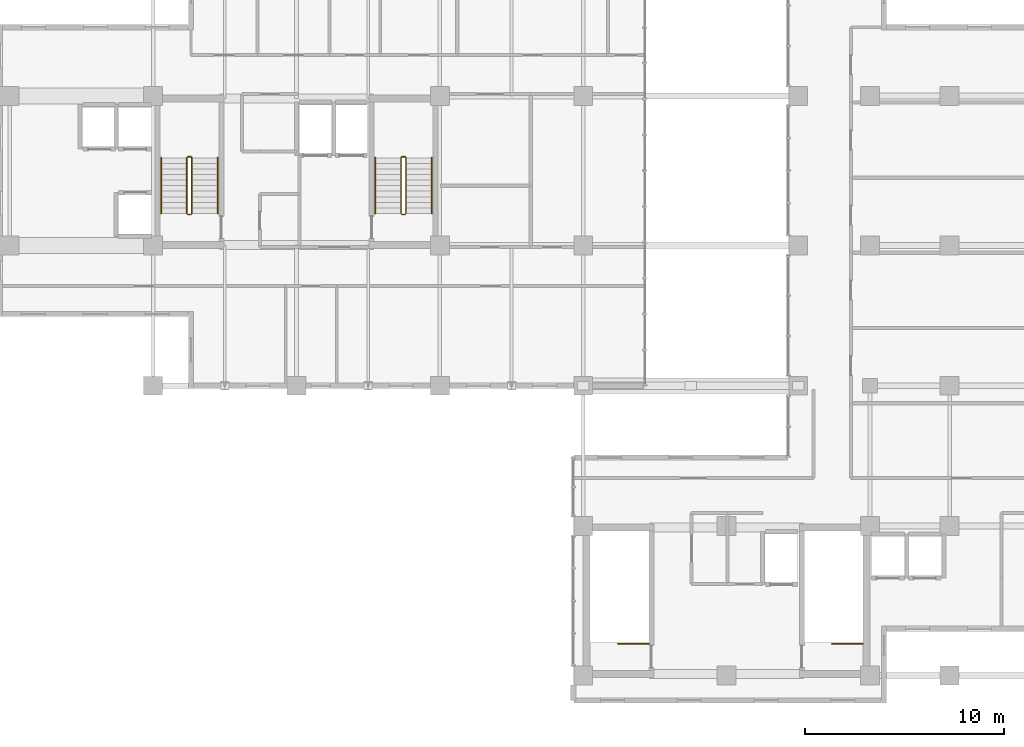
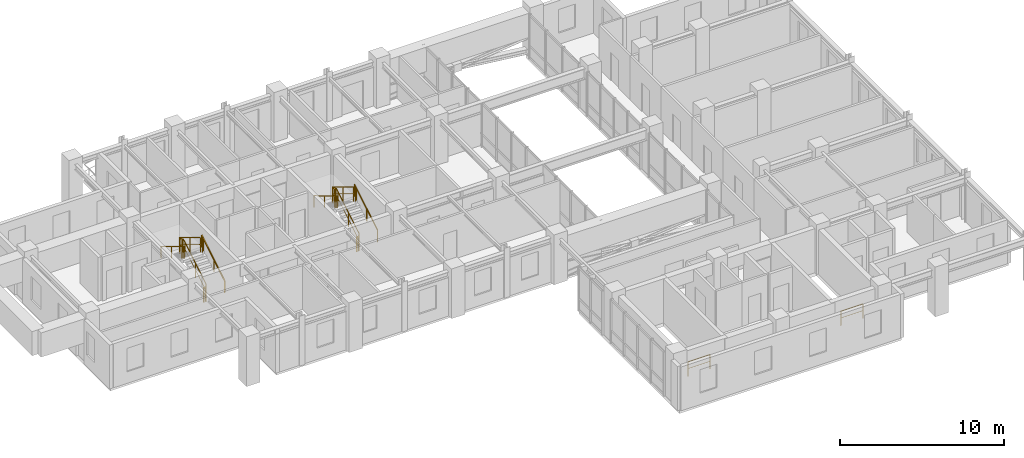
# One storey, part 22 of 23: 14 railings.
"""IFC4 building model written with IfcOpenShell, lengths in metres."""

from ifc_helpers import new_model, si_unit, direction, frame, origin, origin_2d, place, context, subcontext, project, spatial, rectangle, extrude, material, type_object, element, save


model = new_model("IFC4")

# Units and contexts
model_context = context("Model", 3, precision=1e-05, world=origin(), true_north=direction((0.0, 1.0)))
body_context = subcontext(model_context, "Body", "Model", "MODEL_VIEW")
ifc_project = project(units=[si_unit("LENGTHUNIT", "METRE"), si_unit("AREAUNIT", "SQUARE_METRE"), si_unit("VOLUMEUNIT", "CUBIC_METRE"), si_unit("PLANEANGLEUNIT", "RADIAN"), si_unit("MASSUNIT", "GRAM", prefix="KILO")], contexts=[model_context])

# Site, building, storey
site_placement = place(None, origin())
site = spatial("IfcSite", under=ifc_project, at=site_placement, CompositionType="ELEMENT")
building_placement = place(site_placement, origin())
building = spatial("IfcBuilding", under=site, at=building_placement, Name="Kaliganga Portal Commons", CompositionType="ELEMENT")
storey_placement = place(building_placement, frame((0.0, 0.0, 246.199951171875)))
storey = spatial("IfcBuildingStorey", under=building, at=storey_placement, Name="L63", CompositionType="ELEMENT", Elevation=246.199951171875)

# Railings
ifc_material_1 = material(Name="Galvanized Painted Steel Balustrade", Category="steel")
railing_type_1 = type_object("IfcRailingType", Name="RLG-STAIR-GRD", PredefinedType="GUARDRAIL", material=ifc_material_1)
railing_1_placement = place(storey_placement, frame((16.35009765625, 30.25, 0.168212890625)))
element("IfcRailing", 1, at=railing_1_placement, inside=storey, type_object=railing_type_1, Name="L63 ST-A1 stair guard 1", PredefinedType="GUARDRAIL", context=body_context, shape_type="SweptSolid", body=[
    extrude(rectangle(XDim=0.048095703125, YDim=0.048095703125, at=origin_2d()), frame((0.0, 0.0, 1.072021484375), z_axis=(0.0, 0.857242210791, 0.514913383045), x_axis=(-1.0, 0.0, 0.0)), (0.0, 0.0, 1.0), 3.266357421875),
    extrude(rectangle(XDim=0.028076171875, YDim=0.028076171875, at=origin_2d()), frame((0.0, 0.0, 0.572021484375), z_axis=(0.0, 0.857242210791, 0.514913383045), x_axis=(-1.0, 0.0, 0.0)), (0.0, 0.0, 1.0), 3.266357421875),
    extrude(rectangle(XDim=0.0419921875, YDim=0.0419921875, at=origin_2d()), origin(), (0.0, 0.0, 1.0), 1.052001953125),
    extrude(rectangle(XDim=0.0419921875, YDim=0.0419921875, at=origin_2d()), frame((0.0, 1.285888671875, 0.7724609375)), (0.0, 0.0, 1.0), 1.052001953125),
    extrude(rectangle(XDim=0.0419921875, YDim=0.0419921875, at=origin_2d()), frame((0.0, 2.57177734375, 1.544677734375)), (0.0, 0.0, 1.0), 1.052001953125),
    extrude(rectangle(XDim=0.0419921875, YDim=0.0419921875, at=origin_2d()), frame((0.0, 2.800048828125, 1.681884765625)), (0.0, 0.0, 1.0), 1.052001953125),
])
railing_2_placement = place(storey_placement, frame((16.300048828125, 33.10009765625, 1.85009765625)))
element("IfcRailing", 2, at=railing_2_placement, inside=storey, type_object=railing_type_1, Name="L63 ST-A1 stair guard 2", PredefinedType="GUARDRAIL", context=body_context, shape_type="SweptSolid", body=[
    extrude(rectangle(XDim=0.048095703125, YDim=0.048095703125, at=origin_2d()), frame((0.0, 0.0, 1.076171875), z_axis=(-1.0, 0.0, 0.0), x_axis=(0.0, -1.0, 0.0)), (0.0, 0.0, 1.0), 0.150146484375),
    extrude(rectangle(XDim=0.028076171875, YDim=0.028076171875, at=origin_2d()), frame((0.0, 0.0, 0.572021484375), z_axis=(-1.0, 0.0, 0.0), x_axis=(0.0, -1.0, 0.0)), (0.0, 0.0, 1.0), 0.150146484375),
    extrude(rectangle(XDim=0.0419921875, YDim=0.0419921875, at=origin_2d()), origin(), (0.0, 0.0, 1.0), 1.052001953125),
    extrude(rectangle(XDim=0.0419921875, YDim=0.0419921875, at=origin_2d()), frame((-0.150146484375, 0.0, 0.0)), (0.0, 0.0, 1.0), 1.052001953125),
])
railing_3_placement = place(storey_placement, frame((16.10009765625, 33.050048828125, 2.018310546875)))
element("IfcRailing", 3, at=railing_3_placement, inside=storey, type_object=railing_type_1, Name="L63 ST-A1 stair guard 3", PredefinedType="GUARDRAIL", context=body_context, shape_type="SweptSolid", body=[
    extrude(rectangle(XDim=0.048095703125, YDim=0.048095703125, at=origin_2d()), frame((0.0, 0.0, 1.072021484375), z_axis=(0.0, -0.857275202839, 0.514858452973), x_axis=(1.0, 0.0, 0.0)), (0.0, 0.0, 1.0), 3.26611328125),
    extrude(rectangle(XDim=0.028076171875, YDim=0.028076171875, at=origin_2d()), frame((0.0, 0.0, 0.572021484375), z_axis=(0.0, -0.857275202839, 0.514858452973), x_axis=(1.0, 0.0, 0.0)), (0.0, 0.0, 1.0), 3.26611328125),
    extrude(rectangle(XDim=0.0419921875, YDim=0.0419921875, at=origin_2d()), origin(), (0.0, 0.0, 1.0), 1.052001953125),
    extrude(rectangle(XDim=0.0419921875, YDim=0.0419921875, at=origin_2d()), frame((0.0, -1.285888671875, 0.772216796875)), (0.0, 0.0, 1.0), 1.052001953125),
    extrude(rectangle(XDim=0.0419921875, YDim=0.0419921875, at=origin_2d()), frame((0.0, -2.57177734375, 1.544677734375)), (0.0, 0.0, 1.0), 1.052001953125),
    extrude(rectangle(XDim=0.0419921875, YDim=0.0419921875, at=origin_2d()), frame((0.0, -2.800048828125, 1.681640625)), (0.0, 0.0, 1.0), 1.052001953125),
])
railing_4_placement = place(storey_placement, frame((16.300048828125, 30.199951171875, 0.0)))
element("IfcRailing", 4, at=railing_4_placement, inside=storey, type_object=railing_type_1, Name="L63 ST-A1 stair guard 4", PredefinedType="GUARDRAIL", context=body_context, shape_type="SweptSolid", body=[
    extrude(rectangle(XDim=0.048095703125, YDim=0.048095703125, at=origin_2d()), frame((0.0, 0.0, 1.076171875), z_axis=(-1.0, 0.0, 0.0), x_axis=(0.0, -1.0, 0.0)), (0.0, 0.0, 1.0), 0.150146484375),
    extrude(rectangle(XDim=0.028076171875, YDim=0.028076171875, at=origin_2d()), frame((0.0, 0.0, 0.572021484375), z_axis=(-1.0, 0.0, 0.0), x_axis=(0.0, -1.0, 0.0)), (0.0, 0.0, 1.0), 0.150146484375),
    extrude(rectangle(XDim=0.0419921875, YDim=0.0419921875, at=origin_2d()), origin(), (0.0, 0.0, 1.0), 1.052001953125),
    extrude(rectangle(XDim=0.0419921875, YDim=0.0419921875, at=origin_2d()), frame((-0.150146484375, 0.0, 0.0)), (0.0, 0.0, 1.0), 1.052001953125),
])
railing_5_placement = place(storey_placement, frame((27.10009765625, 30.25, 0.168212890625)))
element("IfcRailing", 5, at=railing_5_placement, inside=storey, type_object=railing_type_1, Name="L63 ST-A2 stair guard 1", PredefinedType="GUARDRAIL", context=body_context, shape_type="SweptSolid", body=[
    extrude(rectangle(XDim=0.048095703125, YDim=0.048095703125, at=origin_2d()), frame((0.0, 0.0, 1.072021484375), z_axis=(0.0, 0.857242210791, 0.514913383045), x_axis=(-1.0, 0.0, 0.0)), (0.0, 0.0, 1.0), 3.266357421875),
    extrude(rectangle(XDim=0.028076171875, YDim=0.028076171875, at=origin_2d()), frame((0.0, 0.0, 0.572021484375), z_axis=(0.0, 0.857242210791, 0.514913383045), x_axis=(-1.0, 0.0, 0.0)), (0.0, 0.0, 1.0), 3.266357421875),
    extrude(rectangle(XDim=0.0419921875, YDim=0.0419921875, at=origin_2d()), origin(), (0.0, 0.0, 1.0), 1.052001953125),
    extrude(rectangle(XDim=0.0419921875, YDim=0.0419921875, at=origin_2d()), frame((0.0, 1.285888671875, 0.7724609375)), (0.0, 0.0, 1.0), 1.052001953125),
    extrude(rectangle(XDim=0.0419921875, YDim=0.0419921875, at=origin_2d()), frame((0.0, 2.57177734375, 1.544677734375)), (0.0, 0.0, 1.0), 1.052001953125),
    extrude(rectangle(XDim=0.0419921875, YDim=0.0419921875, at=origin_2d()), frame((0.0, 2.800048828125, 1.681884765625)), (0.0, 0.0, 1.0), 1.052001953125),
])
railing_6_placement = place(storey_placement, frame((27.050048828125, 33.10009765625, 1.85009765625)))
element("IfcRailing", 6, at=railing_6_placement, inside=storey, type_object=railing_type_1, Name="L63 ST-A2 stair guard 2", PredefinedType="GUARDRAIL", context=body_context, shape_type="SweptSolid", body=[
    extrude(rectangle(XDim=0.048095703125, YDim=0.048095703125, at=origin_2d()), frame((0.0, 0.0, 1.076171875), z_axis=(-1.0, 0.0, 0.0), x_axis=(0.0, -1.0, 0.0)), (0.0, 0.0, 1.0), 0.150146484375),
    extrude(rectangle(XDim=0.028076171875, YDim=0.028076171875, at=origin_2d()), frame((0.0, 0.0, 0.572021484375), z_axis=(-1.0, 0.0, 0.0), x_axis=(0.0, -1.0, 0.0)), (0.0, 0.0, 1.0), 0.150146484375),
    extrude(rectangle(XDim=0.0419921875, YDim=0.0419921875, at=origin_2d()), origin(), (0.0, 0.0, 1.0), 1.052001953125),
    extrude(rectangle(XDim=0.0419921875, YDim=0.0419921875, at=origin_2d()), frame((-0.150146484375, 0.0, 0.0)), (0.0, 0.0, 1.0), 1.052001953125),
])
railing_7_placement = place(storey_placement, frame((26.85009765625, 33.050048828125, 2.018310546875)))
element("IfcRailing", 7, at=railing_7_placement, inside=storey, type_object=railing_type_1, Name="L63 ST-A2 stair guard 3", PredefinedType="GUARDRAIL", context=body_context, shape_type="SweptSolid", body=[
    extrude(rectangle(XDim=0.048095703125, YDim=0.048095703125, at=origin_2d()), frame((0.0, 0.0, 1.072021484375), z_axis=(0.0, -0.857275202839, 0.514858452973), x_axis=(1.0, 0.0, 0.0)), (0.0, 0.0, 1.0), 3.26611328125),
    extrude(rectangle(XDim=0.028076171875, YDim=0.028076171875, at=origin_2d()), frame((0.0, 0.0, 0.572021484375), z_axis=(0.0, -0.857275202839, 0.514858452973), x_axis=(1.0, 0.0, 0.0)), (0.0, 0.0, 1.0), 3.26611328125),
    extrude(rectangle(XDim=0.0419921875, YDim=0.0419921875, at=origin_2d()), origin(), (0.0, 0.0, 1.0), 1.052001953125),
    extrude(rectangle(XDim=0.0419921875, YDim=0.0419921875, at=origin_2d()), frame((0.0, -1.285888671875, 0.772216796875)), (0.0, 0.0, 1.0), 1.052001953125),
    extrude(rectangle(XDim=0.0419921875, YDim=0.0419921875, at=origin_2d()), frame((0.0, -2.57177734375, 1.544677734375)), (0.0, 0.0, 1.0), 1.052001953125),
    extrude(rectangle(XDim=0.0419921875, YDim=0.0419921875, at=origin_2d()), frame((0.0, -2.800048828125, 1.681640625)), (0.0, 0.0, 1.0), 1.052001953125),
])
railing_8_placement = place(storey_placement, frame((27.050048828125, 30.199951171875, 0.0)))
element("IfcRailing", 8, at=railing_8_placement, inside=storey, type_object=railing_type_1, Name="L63 ST-A2 stair guard 4", PredefinedType="GUARDRAIL", context=body_context, shape_type="SweptSolid", body=[
    extrude(rectangle(XDim=0.048095703125, YDim=0.048095703125, at=origin_2d()), frame((0.0, 0.0, 1.076171875), z_axis=(-1.0, 0.0, 0.0), x_axis=(0.0, -1.0, 0.0)), (0.0, 0.0, 1.0), 0.150146484375),
    extrude(rectangle(XDim=0.028076171875, YDim=0.028076171875, at=origin_2d()), frame((0.0, 0.0, 0.572021484375), z_axis=(-1.0, 0.0, 0.0), x_axis=(0.0, -1.0, 0.0)), (0.0, 0.0, 1.0), 0.150146484375),
    extrude(rectangle(XDim=0.0419921875, YDim=0.0419921875, at=origin_2d()), origin(), (0.0, 0.0, 1.0), 1.052001953125),
    extrude(rectangle(XDim=0.0419921875, YDim=0.0419921875, at=origin_2d()), frame((-0.150146484375, 0.0, 0.0)), (0.0, 0.0, 1.0), 1.052001953125),
])
for number, where, name in (
    (9, (39.300048828125, 8.64990234375, 0.0), "L63 ST-B1 top well guard 1"),
    (10, (50.050048828125, 8.64990234375, 0.0), "L63 ST-B2 top well guard 1"),
):
    element("IfcRailing", number, at=place(storey_placement, frame(where)), inside=storey, type_object=railing_type_1, Name=name, PredefinedType="GUARDRAIL", context=body_context, shape_type="SweptSolid", body=[
        extrude(rectangle(XDim=0.048095703125, YDim=0.048095703125, at=origin_2d()), frame((0.0, 0.0, 1.076171875), z_axis=(-1.0, 0.0, 0.0), x_axis=(0.0, -1.0, 0.0)), (0.0, 0.0, 1.0), 1.550048828125),
        extrude(rectangle(XDim=0.028076171875, YDim=0.028076171875, at=origin_2d()), frame((0.0, 0.0, 0.572021484375), z_axis=(-1.0, 0.0, 0.0), x_axis=(0.0, -1.0, 0.0)), (0.0, 0.0, 1.0), 1.550048828125),
        extrude(rectangle(XDim=0.0419921875, YDim=0.0419921875, at=origin_2d()), origin(), (0.0, 0.0, 1.0), 1.052001953125),
        extrude(rectangle(XDim=0.0419921875, YDim=0.0419921875, at=origin_2d()), frame((-1.550048828125, 0.0, 0.0)), (0.0, 0.0, 1.0), 1.052001953125),
    ])
ifc_material_2 = material(Name="Brushed Stainless Steel 316", Category="steel")
railing_type_2 = type_object("IfcRailingType", Name="RLG-STAIR-HR", PredefinedType="HANDRAIL", material=ifc_material_2)
railing_9_placement = place(storey_placement, frame((17.64990234375, 30.25, 0.168212890625)))
element("IfcRailing", 11, at=railing_9_placement, inside=storey, type_object=railing_type_2, Name="L63 ST-A1 stair handrail 1", PredefinedType="HANDRAIL", context=body_context, shape_type="SweptSolid", body=[
    extrude(rectangle(XDim=0.048095703125, YDim=0.048095703125, at=origin_2d()), frame((0.0, 0.0, 0.871826171875), z_axis=(0.0, 0.857242210791, 0.514913383045), x_axis=(-1.0, 0.0, 0.0)), (0.0, 0.0, 1.0), 3.266357421875),
    extrude(rectangle(XDim=0.0419921875, YDim=0.0419921875, at=origin_2d()), origin(), (0.0, 0.0, 1.0), 0.851806640625),
    extrude(rectangle(XDim=0.0419921875, YDim=0.0419921875, at=origin_2d()), frame((0.0, 1.285888671875, 0.7724609375)), (0.0, 0.0, 1.0), 0.851806640625),
    extrude(rectangle(XDim=0.0419921875, YDim=0.0419921875, at=origin_2d()), frame((0.0, 2.57177734375, 1.544677734375)), (0.0, 0.0, 1.0), 0.851806640625),
    extrude(rectangle(XDim=0.0419921875, YDim=0.0419921875, at=origin_2d()), frame((0.0, 2.800048828125, 1.681884765625)), (0.0, 0.0, 1.0), 0.851806640625),
])
railing_10_placement = place(storey_placement, frame((14.800048828125, 33.050048828125, 2.018310546875)))
element("IfcRailing", 12, at=railing_10_placement, inside=storey, type_object=railing_type_2, Name="L63 ST-A1 stair handrail 2", PredefinedType="HANDRAIL", context=body_context, shape_type="SweptSolid", body=[
    extrude(rectangle(XDim=0.048095703125, YDim=0.048095703125, at=origin_2d()), frame((0.0, 0.0, 0.871826171875), z_axis=(0.0, -0.857275202839, 0.514858452973), x_axis=(1.0, 0.0, 0.0)), (0.0, 0.0, 1.0), 3.26611328125),
    extrude(rectangle(XDim=0.0419921875, YDim=0.0419921875, at=origin_2d()), origin(), (0.0, 0.0, 1.0), 0.851806640625),
    extrude(rectangle(XDim=0.0419921875, YDim=0.0419921875, at=origin_2d()), frame((0.0, -1.285888671875, 0.772216796875)), (0.0, 0.0, 1.0), 0.851806640625),
    extrude(rectangle(XDim=0.0419921875, YDim=0.0419921875, at=origin_2d()), frame((0.0, -2.57177734375, 1.544677734375)), (0.0, 0.0, 1.0), 0.851806640625),
    extrude(rectangle(XDim=0.0419921875, YDim=0.0419921875, at=origin_2d()), frame((0.0, -2.800048828125, 1.681640625)), (0.0, 0.0, 1.0), 0.851806640625),
])
railing_11_placement = place(storey_placement, frame((28.39990234375, 30.25, 0.168212890625)))
element("IfcRailing", 13, at=railing_11_placement, inside=storey, type_object=railing_type_2, Name="L63 ST-A2 stair handrail 1", PredefinedType="HANDRAIL", context=body_context, shape_type="SweptSolid", body=[
    extrude(rectangle(XDim=0.048095703125, YDim=0.048095703125, at=origin_2d()), frame((0.0, 0.0, 0.871826171875), z_axis=(0.0, 0.857242210791, 0.514913383045), x_axis=(-1.0, 0.0, 0.0)), (0.0, 0.0, 1.0), 3.266357421875),
    extrude(rectangle(XDim=0.0419921875, YDim=0.0419921875, at=origin_2d()), origin(), (0.0, 0.0, 1.0), 0.851806640625),
    extrude(rectangle(XDim=0.0419921875, YDim=0.0419921875, at=origin_2d()), frame((0.0, 1.285888671875, 0.7724609375)), (0.0, 0.0, 1.0), 0.851806640625),
    extrude(rectangle(XDim=0.0419921875, YDim=0.0419921875, at=origin_2d()), frame((0.0, 2.57177734375, 1.544677734375)), (0.0, 0.0, 1.0), 0.851806640625),
    extrude(rectangle(XDim=0.0419921875, YDim=0.0419921875, at=origin_2d()), frame((0.0, 2.800048828125, 1.681884765625)), (0.0, 0.0, 1.0), 0.851806640625),
])
railing_12_placement = place(storey_placement, frame((25.550048828125, 33.050048828125, 2.018310546875)))
element("IfcRailing", 14, at=railing_12_placement, inside=storey, type_object=railing_type_2, Name="L63 ST-A2 stair handrail 2", PredefinedType="HANDRAIL", context=body_context, shape_type="SweptSolid", body=[
    extrude(rectangle(XDim=0.048095703125, YDim=0.048095703125, at=origin_2d()), frame((0.0, 0.0, 0.871826171875), z_axis=(0.0, -0.857275202839, 0.514858452973), x_axis=(1.0, 0.0, 0.0)), (0.0, 0.0, 1.0), 3.26611328125),
    extrude(rectangle(XDim=0.0419921875, YDim=0.0419921875, at=origin_2d()), origin(), (0.0, 0.0, 1.0), 0.851806640625),
    extrude(rectangle(XDim=0.0419921875, YDim=0.0419921875, at=origin_2d()), frame((0.0, -1.285888671875, 0.772216796875)), (0.0, 0.0, 1.0), 0.851806640625),
    extrude(rectangle(XDim=0.0419921875, YDim=0.0419921875, at=origin_2d()), frame((0.0, -2.57177734375, 1.544677734375)), (0.0, 0.0, 1.0), 0.851806640625),
    extrude(rectangle(XDim=0.0419921875, YDim=0.0419921875, at=origin_2d()), frame((0.0, -2.800048828125, 1.681640625)), (0.0, 0.0, 1.0), 0.851806640625),
])

save(model, "model.ifc")
